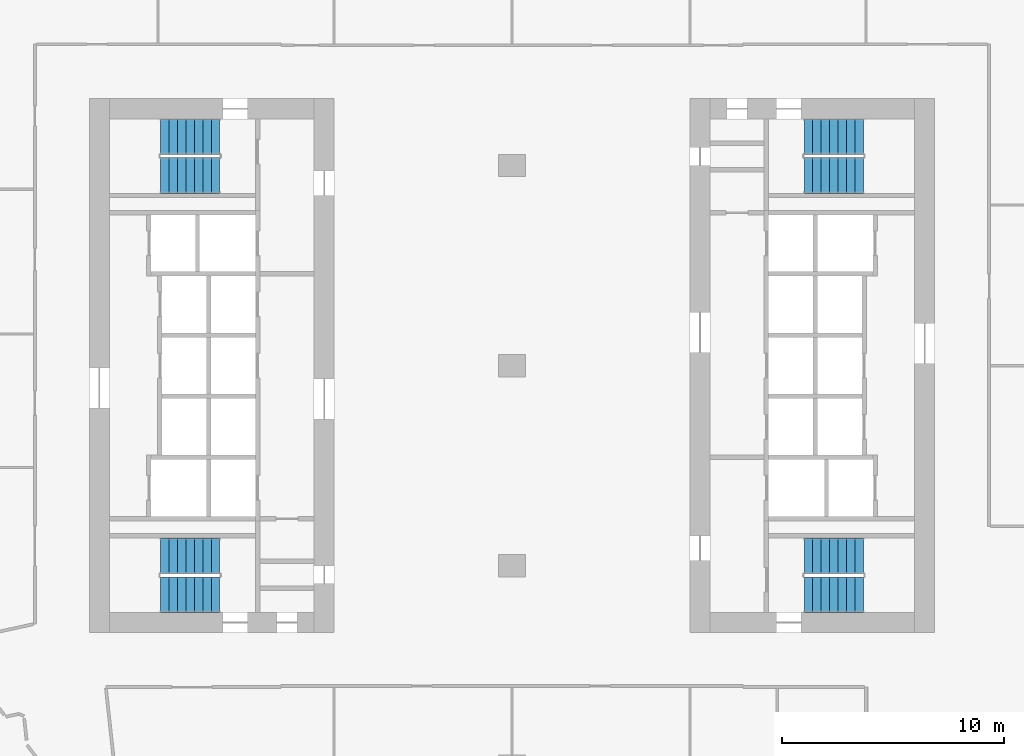
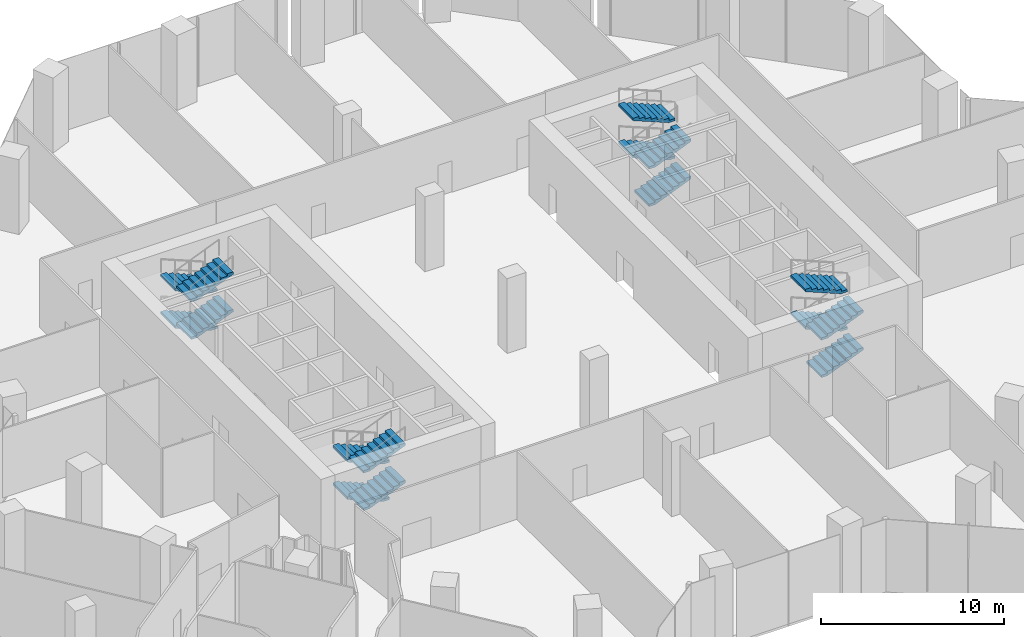
# One storey, part 26 of 29: 16 stair flights, 4 elements without a shape of their own.
"""IFC4 building model written with IfcOpenShell, lengths in metres."""

import ifcopenshell
import ifcopenshell.guid

model = None  # the IFC model being written
_history = None  # IfcOwnerHistory: only IFC2X3 demands one
_inside = {}  # id of a spatial element -> (the spatial element, [elements in it])
_under = {}  # id of a project, library or spatial element -> (it, [spatial elements below it])
_declared = {}  # id of a project -> (the project, [libraries it declares])
_typed = {}  # id of a type object -> (the type object, [elements of that type])
_made_of = {}  # id of a material, layer set ... -> (it, [elements and type objects made of it])


def new_model(schema):
    """Start an empty IFC model of exactly this schema.

    Asked for "IFC4X3", IfcOpenShell would pick the latest addendum, in which some entities
    have other attributes; the version numbers below select the first issue.
    IFC2X3 requires an IfcOwnerHistory on every rooted entity: one is made here for all.
    """
    global model, _history
    if schema == "IFC4X3":
        model = ifcopenshell.file(schema_version=(4, 3, 0, 0))
    else:
        model = ifcopenshell.file(schema=schema)
    _inside.clear()
    _under.clear()
    _declared.clear()
    _typed.clear()
    _made_of.clear()
    _history = None
    if model.schema == "IFC2X3":
        org = make("IfcOrganization", Name="unknown")
        user = make(
            "IfcPersonAndOrganization",
            ThePerson=make("IfcPerson", FamilyName="unknown"),
            TheOrganization=org,
        )
        app = make(
            "IfcApplication",
            ApplicationDeveloper=org,
            Version="unknown",
            ApplicationFullName="unknown",
            ApplicationIdentifier="unknown",
        )
        _history = make(
            "IfcOwnerHistory",
            OwningUser=user,
            OwningApplication=app,
            ChangeAction="ADDED",
            CreationDate=0,
        )
    return model


def make(cls, **values):
    """One entity of the class cls with the attributes given. An attribute that is None is left unset."""
    return model.create_entity(
        cls, **{name: value for name, value in values.items() if value is not None}
    )


def rooted(cls, **values):
    """An entity with a GlobalId (a new one), such as an element, a storey or a relation."""
    return make(cls, GlobalId=ifcopenshell.guid.new(), OwnerHistory=_history, **values)


def si_unit(unit_type, name, prefix=None):
    """IfcSIUnit, for example si_unit("LENGTHUNIT", "METRE", prefix="MILLI")."""
    return make("IfcSIUnit", UnitType=unit_type, Prefix=prefix, Name=name)


def assignment(units):
    """IfcUnitAssignment: the units of a project."""
    return None if units is None else make("IfcUnitAssignment", Units=units)


def point(xyz):
    """IfcCartesianPoint."""
    return None if xyz is None else make("IfcCartesianPoint", Coordinates=xyz)


def direction(xyz):
    """IfcDirection."""
    return None if xyz is None else make("IfcDirection", DirectionRatios=xyz)


def frame(location, z_axis=None, x_axis=None):
    """IfcAxis2Placement3D, a coordinate frame: its origin and axes. An axis left out is left unset."""
    return make(
        "IfcAxis2Placement3D",
        Location=point(location),
        Axis=direction(z_axis),
        RefDirection=direction(x_axis),
    )


def origin():
    """The frame at (0, 0, 0) with its axes left unset."""
    return frame((0.0, 0.0, 0.0))


def place(relative_to, where):
    """IfcLocalPlacement: puts the frame where relative to a parent placement (None: the world)."""
    return make(
        "IfcLocalPlacement", PlacementRelTo=relative_to, RelativePlacement=where
    )


def context(
    kind, dimensions, precision=None, world=None, true_north=None, identifier=None
):
    """IfcGeometricRepresentationContext, for example the 3D "Model" context."""
    return make(
        "IfcGeometricRepresentationContext",
        ContextIdentifier=identifier,
        ContextType=kind,
        CoordinateSpaceDimension=dimensions,
        Precision=precision,
        WorldCoordinateSystem=world,
        TrueNorth=true_north,
    )


def subcontext(parent, identifier, kind, view, scale=None):
    """IfcGeometricRepresentationSubContext, for example "Body" below "Model"."""
    return make(
        "IfcGeometricRepresentationSubContext",
        ContextIdentifier=identifier,
        ContextType=kind,
        ParentContext=parent,
        TargetScale=scale,
        TargetView=view,
    )


def project(units=None, contexts=None):
    """IfcProject with its units and contexts."""
    return rooted(
        "IfcProject",
        Name="project",
        RepresentationContexts=contexts,
        UnitsInContext=assignment(units),
    )


def spatial(cls, under=None, at=None, **own):
    """A site, building, storey or space (cls), placed at a placement, below another one or the project."""
    s = rooted(cls, ObjectPlacement=at, **own)
    if under is not None:
        _under.setdefault(under.id(), (under, []))[1].append(s)
    return s


def polyline(points):
    """IfcPolyline through the points."""
    return make("IfcPolyline", Points=[point(p) for p in points])


def outline(outer, holes=None, kind="AREA"):
    """IfcArbitraryClosedProfileDef: a profile drawn as a closed curve; with holes, ...WithVoids."""
    if holes is None:
        return make("IfcArbitraryClosedProfileDef", ProfileType=kind, OuterCurve=outer)
    return make(
        "IfcArbitraryProfileDefWithVoids",
        ProfileType=kind,
        OuterCurve=outer,
        InnerCurves=holes,
    )


def extrude(swept, where, along, depth):
    """IfcExtrudedAreaSolid: the profile swept, set in the frame where, extruded along a direction by depth."""
    return make(
        "IfcExtrudedAreaSolid",
        SweptArea=swept,
        Position=where,
        ExtrudedDirection=direction(along),
        Depth=depth,
    )


def shape(context_of_items, identifier, shape_type, items):
    """IfcShapeRepresentation: the items that make up one representation, for example the "Body"."""
    return make(
        "IfcShapeRepresentation",
        ContextOfItems=context_of_items,
        RepresentationIdentifier=identifier,
        RepresentationType=shape_type,
        Items=items,
    )


def material(Name=None, Category=None):
    """IfcMaterial."""
    return make("IfcMaterial", Name=Name, Category=Category)


def made_of(thing, what):
    """Note that an element or type object is made of a material, layer set ...; save() writes the relation."""
    if what is not None:
        _made_of.setdefault(what.id(), (what, []))[1].append(thing)
    return thing


def type_object(cls, material=None, **own):
    """A type object (cls), such as IfcWallType, which elements share."""
    return made_of(rooted(cls, **own), material)


def element(
    cls,
    number,
    at=None,
    inside=None,
    cuts=None,
    type_object=None,
    material=None,
    context=None,
    identifier="Body",
    shape_type=None,
    held_by="IfcProductDefinitionShape",
    body=None,
    shapes=None,
    **own,
):
    """One element of the class cls, such as IfcWall. Its Tag is "e" and its number.

    at: its placement. inside: the storey or other place that contains it. cuts: it is an
    opening in that element (IfcRelVoidsElement). A single representation is given by context,
    identifier, shape_type and body (its items); several are given by shapes. held_by: the class
    of the entity that holds the representations. save() writes the other relations.
    """
    e = rooted(cls, Tag="e%d" % number, ObjectPlacement=at, **own)
    if body is not None:
        shapes = [shape(context, identifier, shape_type, body)]
    if shapes is not None:
        e.Representation = make(held_by, Representations=shapes)
    if inside is not None:
        _inside.setdefault(inside.id(), (inside, []))[1].append(e)
    if cuts is not None:
        rooted(
            "IfcRelVoidsElement", RelatingBuildingElement=cuts, RelatedOpeningElement=e
        )
    if type_object is not None:
        _typed.setdefault(type_object.id(), (type_object, []))[1].append(e)
    return made_of(e, material)


def aggregate(whole, parts):
    """IfcRelAggregates: a whole, such as a stair, and the parts it consists of."""
    return rooted("IfcRelAggregates", RelatingObject=whole, RelatedObjects=parts)


def save(model, path):
    """Write the relations noted so far, then the file.

    IfcRelAggregates (storeys below a building ...), IfcRelContainedInSpatialStructure (elements
    in a storey), IfcRelDefinesByType, IfcRelAssociatesMaterial and IfcRelDeclares: one each for
    every whole, place, type object, material and project.
    """
    for whole, parts in _under.values():
        aggregate(whole, parts)
    for where, things in _inside.values():
        rooted(
            "IfcRelContainedInSpatialStructure",
            RelatedElements=things,
            RelatingStructure=where,
        )
    for kind, things in _typed.values():
        rooted("IfcRelDefinesByType", RelatedObjects=things, RelatingType=kind)
    for what, things in _made_of.values():
        rooted("IfcRelAssociatesMaterial", RelatedObjects=things, RelatingMaterial=what)
    for by, libraries in _declared.values():
        rooted("IfcRelDeclares", RelatingContext=by, RelatedDefinitions=libraries)
    model.write(path)


model = new_model("IFC4")

# Units and contexts
model_context = context("Model", 3, precision=1e-05, world=origin(), true_north=direction((0.0, 1.0)))
body_context = subcontext(model_context, "Body", "Model", "MODEL_VIEW")
ifc_project = project(units=[si_unit("LENGTHUNIT", "METRE"), si_unit("AREAUNIT", "SQUARE_METRE"), si_unit("VOLUMEUNIT", "CUBIC_METRE"), si_unit("PLANEANGLEUNIT", "RADIAN"), si_unit("MASSUNIT", "GRAM", prefix="KILO")], contexts=[model_context])

# Site, building, storey
site_placement = place(None, origin())
site = spatial("IfcSite", under=ifc_project, at=site_placement, CompositionType="ELEMENT")
building_placement = place(site_placement, origin())
building = spatial("IfcBuilding", under=site, at=building_placement, Name="Orlundy Tower", CompositionType="ELEMENT")
storey_placement = place(building_placement, frame((0.0, 0.0, 15.5)))
storey = spatial("IfcBuildingStorey", under=building, at=storey_placement, Name="L02", CompositionType="ELEMENT", Elevation=15.5)

# Stair, stair flights
ifc_material_1 = material(Name="Concrete C50/60", Category="concrete")
stair_type = type_object("IfcStairType", Name="Exit Stair 32 risers", PredefinedType="HALF_TURN_STAIR", material=ifc_material_1)
stair_1_placement = place(storey_placement, origin())
stair_1 = element("IfcStair", 1, at=stair_1_placement, inside=storey, type_object=stair_type, Name="L02 Exit Stair ST-W1", PredefinedType="HALF_TURN_STAIR")
ifc_material_2 = material(Name="Concrete C50/60", Category="concrete")
stair_flight_type = type_object("IfcStairFlightType", Name="Stair Flight 8 risers", PredefinedType="STRAIGHT", material=ifc_material_2)
stair_flight_1_placement = place(storey_placement, frame((-13.139892578125, 10.300048828125, 0.0), z_axis=(0.0, 0.0, 1.0), x_axis=(-1.0, 0.0, 0.0)))
stair_flight_1 = element("IfcStairFlight", 2, at=stair_flight_1_placement, type_object=stair_flight_type, Name="ST-W1 flight 1", NumberOfRisers=8, NumberOfTreads=7, PredefinedType="STRAIGHT", RiserHeight=0.15625, TreadLength=0.38, context=body_context, shape_type="SweptSolid", body=[
    extrude(outline(polyline([(0.0, 0.0), (0.0, 0.15625), (0.3798828125, 0.15625), (0.3798828125, 0.3125), (0.760009765625, 0.3125), (0.760009765625, 0.46875), (1.139892578125, 0.46875), (1.139892578125, 0.625), (1.52001953125, 0.625), (1.52001953125, 0.78125), (1.89990234375, 0.78125), (1.89990234375, 0.9375), (2.280029296875, 0.9375), (2.280029296875, 1.09375), (2.659912109375, 1.09375), (2.659912109375, 1.25), (2.659912109375, 0.931640625), (0.394287109375, 0.0), (0.0, 0.0)])), frame((0.0, 0.800048828125, 0.0), z_axis=(0.0, -1.0, 0.0), x_axis=(1.0, 0.0, 0.0)), (0.0, 0.0, 1.0), 1.60009765625),
])
stair_flight_2_placement = place(storey_placement, frame((-15.800048828125, 8.550048828125, 1.25), z_axis=(0.0, 0.0, 1.0), x_axis=(1.0, 0.0, 0.0)))
stair_flight_2 = element("IfcStairFlight", 3, at=stair_flight_2_placement, type_object=stair_flight_type, Name="ST-W1 flight 2", NumberOfRisers=8, NumberOfTreads=7, PredefinedType="STRAIGHT", RiserHeight=0.15625, TreadLength=0.38, context=body_context, shape_type="SweptSolid", body=[
    extrude(outline(polyline([(0.0, 0.0), (0.0, 0.15625), (0.3798828125, 0.15625), (0.3798828125, 0.3125), (0.760009765625, 0.3125), (0.760009765625, 0.46875), (1.139892578125, 0.46875), (1.139892578125, 0.625), (1.52001953125, 0.625), (1.52001953125, 0.78125), (1.89990234375, 0.78125), (1.89990234375, 0.9375), (2.280029296875, 0.9375), (2.280029296875, 1.09375), (2.659912109375, 1.09375), (2.659912109375, 1.25), (2.659912109375, 0.931640625), (0.394287109375, 0.0), (0.0, 0.0)])), frame((0.0, 0.800048828125, 0.0), z_axis=(0.0, -1.0, 0.0), x_axis=(1.0, 0.0, 0.0)), (0.0, 0.0, 1.0), 1.60009765625),
])
stair_flight_3_placement = place(storey_placement, frame((-13.139892578125, 10.300048828125, 2.5), z_axis=(0.0, 0.0, 1.0), x_axis=(-1.0, 0.0, 0.0)))
stair_flight_3 = element("IfcStairFlight", 4, at=stair_flight_3_placement, type_object=stair_flight_type, Name="ST-W1 flight 3", NumberOfRisers=8, NumberOfTreads=7, PredefinedType="STRAIGHT", RiserHeight=0.15625, TreadLength=0.38, context=body_context, shape_type="SweptSolid", body=[
    extrude(outline(polyline([(0.0, 0.0), (0.0, 0.15625), (0.3798828125, 0.15625), (0.3798828125, 0.3125), (0.760009765625, 0.3125), (0.760009765625, 0.46875), (1.139892578125, 0.46875), (1.139892578125, 0.625), (1.52001953125, 0.625), (1.52001953125, 0.78125), (1.89990234375, 0.78125), (1.89990234375, 0.9375), (2.280029296875, 0.9375), (2.280029296875, 1.09375), (2.659912109375, 1.09375), (2.659912109375, 1.25), (2.659912109375, 0.931640625), (0.394287109375, 0.0), (0.0, 0.0)])), frame((0.0, 0.800048828125, 0.0), z_axis=(0.0, -1.0, 0.0), x_axis=(1.0, 0.0, 0.0)), (0.0, 0.0, 1.0), 1.60009765625),
])
stair_flight_4_placement = place(storey_placement, frame((-15.800048828125, 8.550048828125, 3.75), z_axis=(0.0, 0.0, 1.0), x_axis=(1.0, 0.0, 0.0)))
stair_flight_4 = element("IfcStairFlight", 5, at=stair_flight_4_placement, type_object=stair_flight_type, Name="ST-W1 flight 4", NumberOfRisers=8, NumberOfTreads=7, PredefinedType="STRAIGHT", RiserHeight=0.15625, TreadLength=0.38, context=body_context, shape_type="SweptSolid", body=[
    extrude(outline(polyline([(0.0, 0.0), (0.0, 0.15625), (0.3798828125, 0.15625), (0.3798828125, 0.3125), (0.760009765625, 0.3125), (0.760009765625, 0.46875), (1.139892578125, 0.46875), (1.139892578125, 0.625), (1.52001953125, 0.625), (1.52001953125, 0.78125), (1.89990234375, 0.78125), (1.89990234375, 0.9375), (2.280029296875, 0.9375), (2.280029296875, 1.09375), (2.659912109375, 1.09375), (2.659912109375, 1.25), (2.659912109375, 0.931640625), (0.394287109375, 0.0), (0.0, 0.0)])), frame((0.0, 0.800048828125, 0.0), z_axis=(0.0, -1.0, 0.0), x_axis=(1.0, 0.0, 0.0)), (0.0, 0.0, 1.0), 1.60009765625),
])
aggregate(stair_1, [stair_flight_1, stair_flight_2, stair_flight_3, stair_flight_4])

stair_2_placement = place(storey_placement, origin())
stair_2 = element("IfcStair", 6, at=stair_2_placement, inside=storey, type_object=stair_type, Name="L02 Exit Stair ST-W2", PredefinedType="HALF_TURN_STAIR")
stair_flight_5_placement = place(storey_placement, frame((-13.139892578125, -8.550048828125, 0.0), z_axis=(0.0, 0.0, 1.0), x_axis=(-1.0, 0.0, 0.0)))
stair_flight_5 = element("IfcStairFlight", 7, at=stair_flight_5_placement, type_object=stair_flight_type, Name="ST-W2 flight 1", NumberOfRisers=8, NumberOfTreads=7, PredefinedType="STRAIGHT", RiserHeight=0.15625, TreadLength=0.38, context=body_context, shape_type="SweptSolid", body=[
    extrude(outline(polyline([(0.0, 0.0), (0.0, 0.15625), (0.3798828125, 0.15625), (0.3798828125, 0.3125), (0.760009765625, 0.3125), (0.760009765625, 0.46875), (1.139892578125, 0.46875), (1.139892578125, 0.625), (1.52001953125, 0.625), (1.52001953125, 0.78125), (1.89990234375, 0.78125), (1.89990234375, 0.9375), (2.280029296875, 0.9375), (2.280029296875, 1.09375), (2.659912109375, 1.09375), (2.659912109375, 1.25), (2.659912109375, 0.931640625), (0.394287109375, 0.0), (0.0, 0.0)])), frame((0.0, 0.800048828125, 0.0), z_axis=(0.0, -1.0, 0.0), x_axis=(1.0, 0.0, 0.0)), (0.0, 0.0, 1.0), 1.60009765625),
])
stair_flight_6_placement = place(storey_placement, frame((-15.800048828125, -10.300048828125, 1.25), z_axis=(0.0, 0.0, 1.0), x_axis=(1.0, 0.0, 0.0)))
stair_flight_6 = element("IfcStairFlight", 8, at=stair_flight_6_placement, type_object=stair_flight_type, Name="ST-W2 flight 2", NumberOfRisers=8, NumberOfTreads=7, PredefinedType="STRAIGHT", RiserHeight=0.15625, TreadLength=0.38, context=body_context, shape_type="SweptSolid", body=[
    extrude(outline(polyline([(0.0, 0.0), (0.0, 0.15625), (0.3798828125, 0.15625), (0.3798828125, 0.3125), (0.760009765625, 0.3125), (0.760009765625, 0.46875), (1.139892578125, 0.46875), (1.139892578125, 0.625), (1.52001953125, 0.625), (1.52001953125, 0.78125), (1.89990234375, 0.78125), (1.89990234375, 0.9375), (2.280029296875, 0.9375), (2.280029296875, 1.09375), (2.659912109375, 1.09375), (2.659912109375, 1.25), (2.659912109375, 0.931640625), (0.394287109375, 0.0), (0.0, 0.0)])), frame((0.0, 0.800048828125, 0.0), z_axis=(0.0, -1.0, 0.0), x_axis=(1.0, 0.0, 0.0)), (0.0, 0.0, 1.0), 1.60009765625),
])
stair_flight_7_placement = place(storey_placement, frame((-13.139892578125, -8.550048828125, 2.5), z_axis=(0.0, 0.0, 1.0), x_axis=(-1.0, 0.0, 0.0)))
stair_flight_7 = element("IfcStairFlight", 9, at=stair_flight_7_placement, type_object=stair_flight_type, Name="ST-W2 flight 3", NumberOfRisers=8, NumberOfTreads=7, PredefinedType="STRAIGHT", RiserHeight=0.15625, TreadLength=0.38, context=body_context, shape_type="SweptSolid", body=[
    extrude(outline(polyline([(0.0, 0.0), (0.0, 0.15625), (0.3798828125, 0.15625), (0.3798828125, 0.3125), (0.760009765625, 0.3125), (0.760009765625, 0.46875), (1.139892578125, 0.46875), (1.139892578125, 0.625), (1.52001953125, 0.625), (1.52001953125, 0.78125), (1.89990234375, 0.78125), (1.89990234375, 0.9375), (2.280029296875, 0.9375), (2.280029296875, 1.09375), (2.659912109375, 1.09375), (2.659912109375, 1.25), (2.659912109375, 0.931640625), (0.394287109375, 0.0), (0.0, 0.0)])), frame((0.0, 0.800048828125, 0.0), z_axis=(0.0, -1.0, 0.0), x_axis=(1.0, 0.0, 0.0)), (0.0, 0.0, 1.0), 1.60009765625),
])
stair_flight_8_placement = place(storey_placement, frame((-15.800048828125, -10.300048828125, 3.75), z_axis=(0.0, 0.0, 1.0), x_axis=(1.0, 0.0, 0.0)))
stair_flight_8 = element("IfcStairFlight", 10, at=stair_flight_8_placement, type_object=stair_flight_type, Name="ST-W2 flight 4", NumberOfRisers=8, NumberOfTreads=7, PredefinedType="STRAIGHT", RiserHeight=0.15625, TreadLength=0.38, context=body_context, shape_type="SweptSolid", body=[
    extrude(outline(polyline([(0.0, 0.0), (0.0, 0.15625), (0.3798828125, 0.15625), (0.3798828125, 0.3125), (0.760009765625, 0.3125), (0.760009765625, 0.46875), (1.139892578125, 0.46875), (1.139892578125, 0.625), (1.52001953125, 0.625), (1.52001953125, 0.78125), (1.89990234375, 0.78125), (1.89990234375, 0.9375), (2.280029296875, 0.9375), (2.280029296875, 1.09375), (2.659912109375, 1.09375), (2.659912109375, 1.25), (2.659912109375, 0.931640625), (0.394287109375, 0.0), (0.0, 0.0)])), frame((0.0, 0.800048828125, 0.0), z_axis=(0.0, -1.0, 0.0), x_axis=(1.0, 0.0, 0.0)), (0.0, 0.0, 1.0), 1.60009765625),
])
aggregate(stair_2, [stair_flight_5, stair_flight_6, stair_flight_7, stair_flight_8])

stair_3_placement = place(storey_placement, origin())
stair_3 = element("IfcStair", 11, at=stair_3_placement, inside=storey, type_object=stair_type, Name="L02 Exit Stair ST-E1", PredefinedType="HALF_TURN_STAIR")
stair_flight_9_placement = place(storey_placement, frame((13.139892578125, -10.300048828125, 0.0), z_axis=(0.0, 0.0, 1.0), x_axis=(1.0, 0.0, 0.0)))
stair_flight_9 = element("IfcStairFlight", 12, at=stair_flight_9_placement, type_object=stair_flight_type, Name="ST-E1 flight 1", NumberOfRisers=8, NumberOfTreads=7, PredefinedType="STRAIGHT", RiserHeight=0.15625, TreadLength=0.38, context=body_context, shape_type="SweptSolid", body=[
    extrude(outline(polyline([(0.0, 0.0), (0.0, 0.15625), (0.3798828125, 0.15625), (0.3798828125, 0.3125), (0.760009765625, 0.3125), (0.760009765625, 0.46875), (1.139892578125, 0.46875), (1.139892578125, 0.625), (1.52001953125, 0.625), (1.52001953125, 0.78125), (1.89990234375, 0.78125), (1.89990234375, 0.9375), (2.280029296875, 0.9375), (2.280029296875, 1.09375), (2.659912109375, 1.09375), (2.659912109375, 1.25), (2.659912109375, 0.931640625), (0.394287109375, 0.0), (0.0, 0.0)])), frame((0.0, 0.800048828125, 0.0), z_axis=(0.0, -1.0, 0.0), x_axis=(1.0, 0.0, 0.0)), (0.0, 0.0, 1.0), 1.60009765625),
])
stair_flight_10_placement = place(storey_placement, frame((15.800048828125, -8.550048828125, 1.25), z_axis=(0.0, 0.0, 1.0), x_axis=(-1.0, 0.0, 0.0)))
stair_flight_10 = element("IfcStairFlight", 13, at=stair_flight_10_placement, type_object=stair_flight_type, Name="ST-E1 flight 2", NumberOfRisers=8, NumberOfTreads=7, PredefinedType="STRAIGHT", RiserHeight=0.15625, TreadLength=0.38, context=body_context, shape_type="SweptSolid", body=[
    extrude(outline(polyline([(0.0, 0.0), (0.0, 0.15625), (0.3798828125, 0.15625), (0.3798828125, 0.3125), (0.760009765625, 0.3125), (0.760009765625, 0.46875), (1.139892578125, 0.46875), (1.139892578125, 0.625), (1.52001953125, 0.625), (1.52001953125, 0.78125), (1.89990234375, 0.78125), (1.89990234375, 0.9375), (2.280029296875, 0.9375), (2.280029296875, 1.09375), (2.659912109375, 1.09375), (2.659912109375, 1.25), (2.659912109375, 0.931640625), (0.394287109375, 0.0), (0.0, 0.0)])), frame((0.0, 0.800048828125, 0.0), z_axis=(0.0, -1.0, 0.0), x_axis=(1.0, 0.0, 0.0)), (0.0, 0.0, 1.0), 1.60009765625),
])
stair_flight_11_placement = place(storey_placement, frame((13.139892578125, -10.300048828125, 2.5), z_axis=(0.0, 0.0, 1.0), x_axis=(1.0, 0.0, 0.0)))
stair_flight_11 = element("IfcStairFlight", 14, at=stair_flight_11_placement, type_object=stair_flight_type, Name="ST-E1 flight 3", NumberOfRisers=8, NumberOfTreads=7, PredefinedType="STRAIGHT", RiserHeight=0.15625, TreadLength=0.38, context=body_context, shape_type="SweptSolid", body=[
    extrude(outline(polyline([(0.0, 0.0), (0.0, 0.15625), (0.3798828125, 0.15625), (0.3798828125, 0.3125), (0.760009765625, 0.3125), (0.760009765625, 0.46875), (1.139892578125, 0.46875), (1.139892578125, 0.625), (1.52001953125, 0.625), (1.52001953125, 0.78125), (1.89990234375, 0.78125), (1.89990234375, 0.9375), (2.280029296875, 0.9375), (2.280029296875, 1.09375), (2.659912109375, 1.09375), (2.659912109375, 1.25), (2.659912109375, 0.931640625), (0.394287109375, 0.0), (0.0, 0.0)])), frame((0.0, 0.800048828125, 0.0), z_axis=(0.0, -1.0, 0.0), x_axis=(1.0, 0.0, 0.0)), (0.0, 0.0, 1.0), 1.60009765625),
])
stair_flight_12_placement = place(storey_placement, frame((15.800048828125, -8.550048828125, 3.75), z_axis=(0.0, 0.0, 1.0), x_axis=(-1.0, 0.0, 0.0)))
stair_flight_12 = element("IfcStairFlight", 15, at=stair_flight_12_placement, type_object=stair_flight_type, Name="ST-E1 flight 4", NumberOfRisers=8, NumberOfTreads=7, PredefinedType="STRAIGHT", RiserHeight=0.15625, TreadLength=0.38, context=body_context, shape_type="SweptSolid", body=[
    extrude(outline(polyline([(0.0, 0.0), (0.0, 0.15625), (0.3798828125, 0.15625), (0.3798828125, 0.3125), (0.760009765625, 0.3125), (0.760009765625, 0.46875), (1.139892578125, 0.46875), (1.139892578125, 0.625), (1.52001953125, 0.625), (1.52001953125, 0.78125), (1.89990234375, 0.78125), (1.89990234375, 0.9375), (2.280029296875, 0.9375), (2.280029296875, 1.09375), (2.659912109375, 1.09375), (2.659912109375, 1.25), (2.659912109375, 0.931640625), (0.394287109375, 0.0), (0.0, 0.0)])), frame((0.0, 0.800048828125, 0.0), z_axis=(0.0, -1.0, 0.0), x_axis=(1.0, 0.0, 0.0)), (0.0, 0.0, 1.0), 1.60009765625),
])
aggregate(stair_3, [stair_flight_9, stair_flight_10, stair_flight_11, stair_flight_12])

stair_4_placement = place(storey_placement, origin())
stair_4 = element("IfcStair", 16, at=stair_4_placement, inside=storey, type_object=stair_type, Name="L02 Exit Stair ST-E2", PredefinedType="HALF_TURN_STAIR")
stair_flight_13_placement = place(storey_placement, frame((13.139892578125, 8.550048828125, 0.0), z_axis=(0.0, 0.0, 1.0), x_axis=(1.0, 0.0, 0.0)))
stair_flight_13 = element("IfcStairFlight", 17, at=stair_flight_13_placement, type_object=stair_flight_type, Name="ST-E2 flight 1", NumberOfRisers=8, NumberOfTreads=7, PredefinedType="STRAIGHT", RiserHeight=0.15625, TreadLength=0.38, context=body_context, shape_type="SweptSolid", body=[
    extrude(outline(polyline([(0.0, 0.0), (0.0, 0.15625), (0.3798828125, 0.15625), (0.3798828125, 0.3125), (0.760009765625, 0.3125), (0.760009765625, 0.46875), (1.139892578125, 0.46875), (1.139892578125, 0.625), (1.52001953125, 0.625), (1.52001953125, 0.78125), (1.89990234375, 0.78125), (1.89990234375, 0.9375), (2.280029296875, 0.9375), (2.280029296875, 1.09375), (2.659912109375, 1.09375), (2.659912109375, 1.25), (2.659912109375, 0.931640625), (0.394287109375, 0.0), (0.0, 0.0)])), frame((0.0, 0.800048828125, 0.0), z_axis=(0.0, -1.0, 0.0), x_axis=(1.0, 0.0, 0.0)), (0.0, 0.0, 1.0), 1.60009765625),
])
stair_flight_14_placement = place(storey_placement, frame((15.800048828125, 10.300048828125, 1.25), z_axis=(0.0, 0.0, 1.0), x_axis=(-1.0, 0.0, 0.0)))
stair_flight_14 = element("IfcStairFlight", 18, at=stair_flight_14_placement, type_object=stair_flight_type, Name="ST-E2 flight 2", NumberOfRisers=8, NumberOfTreads=7, PredefinedType="STRAIGHT", RiserHeight=0.15625, TreadLength=0.38, context=body_context, shape_type="SweptSolid", body=[
    extrude(outline(polyline([(0.0, 0.0), (0.0, 0.15625), (0.3798828125, 0.15625), (0.3798828125, 0.3125), (0.760009765625, 0.3125), (0.760009765625, 0.46875), (1.139892578125, 0.46875), (1.139892578125, 0.625), (1.52001953125, 0.625), (1.52001953125, 0.78125), (1.89990234375, 0.78125), (1.89990234375, 0.9375), (2.280029296875, 0.9375), (2.280029296875, 1.09375), (2.659912109375, 1.09375), (2.659912109375, 1.25), (2.659912109375, 0.931640625), (0.394287109375, 0.0), (0.0, 0.0)])), frame((0.0, 0.800048828125, 0.0), z_axis=(0.0, -1.0, 0.0), x_axis=(1.0, 0.0, 0.0)), (0.0, 0.0, 1.0), 1.60009765625),
])
stair_flight_15_placement = place(storey_placement, frame((13.139892578125, 8.550048828125, 2.5), z_axis=(0.0, 0.0, 1.0), x_axis=(1.0, 0.0, 0.0)))
stair_flight_15 = element("IfcStairFlight", 19, at=stair_flight_15_placement, type_object=stair_flight_type, Name="ST-E2 flight 3", NumberOfRisers=8, NumberOfTreads=7, PredefinedType="STRAIGHT", RiserHeight=0.15625, TreadLength=0.38, context=body_context, shape_type="SweptSolid", body=[
    extrude(outline(polyline([(0.0, 0.0), (0.0, 0.15625), (0.3798828125, 0.15625), (0.3798828125, 0.3125), (0.760009765625, 0.3125), (0.760009765625, 0.46875), (1.139892578125, 0.46875), (1.139892578125, 0.625), (1.52001953125, 0.625), (1.52001953125, 0.78125), (1.89990234375, 0.78125), (1.89990234375, 0.9375), (2.280029296875, 0.9375), (2.280029296875, 1.09375), (2.659912109375, 1.09375), (2.659912109375, 1.25), (2.659912109375, 0.931640625), (0.394287109375, 0.0), (0.0, 0.0)])), frame((0.0, 0.800048828125, 0.0), z_axis=(0.0, -1.0, 0.0), x_axis=(1.0, 0.0, 0.0)), (0.0, 0.0, 1.0), 1.60009765625),
])
stair_flight_16_placement = place(storey_placement, frame((15.800048828125, 10.300048828125, 3.75), z_axis=(0.0, 0.0, 1.0), x_axis=(-1.0, 0.0, 0.0)))
stair_flight_16 = element("IfcStairFlight", 20, at=stair_flight_16_placement, type_object=stair_flight_type, Name="ST-E2 flight 4", NumberOfRisers=8, NumberOfTreads=7, PredefinedType="STRAIGHT", RiserHeight=0.15625, TreadLength=0.38, context=body_context, shape_type="SweptSolid", body=[
    extrude(outline(polyline([(0.0, 0.0), (0.0, 0.15625), (0.3798828125, 0.15625), (0.3798828125, 0.3125), (0.760009765625, 0.3125), (0.760009765625, 0.46875), (1.139892578125, 0.46875), (1.139892578125, 0.625), (1.52001953125, 0.625), (1.52001953125, 0.78125), (1.89990234375, 0.78125), (1.89990234375, 0.9375), (2.280029296875, 0.9375), (2.280029296875, 1.09375), (2.659912109375, 1.09375), (2.659912109375, 1.25), (2.659912109375, 0.931640625), (0.394287109375, 0.0), (0.0, 0.0)])), frame((0.0, 0.800048828125, 0.0), z_axis=(0.0, -1.0, 0.0), x_axis=(1.0, 0.0, 0.0)), (0.0, 0.0, 1.0), 1.60009765625),
])
aggregate(stair_4, [stair_flight_13, stair_flight_14, stair_flight_15, stair_flight_16])

save(model, "model.ifc")
